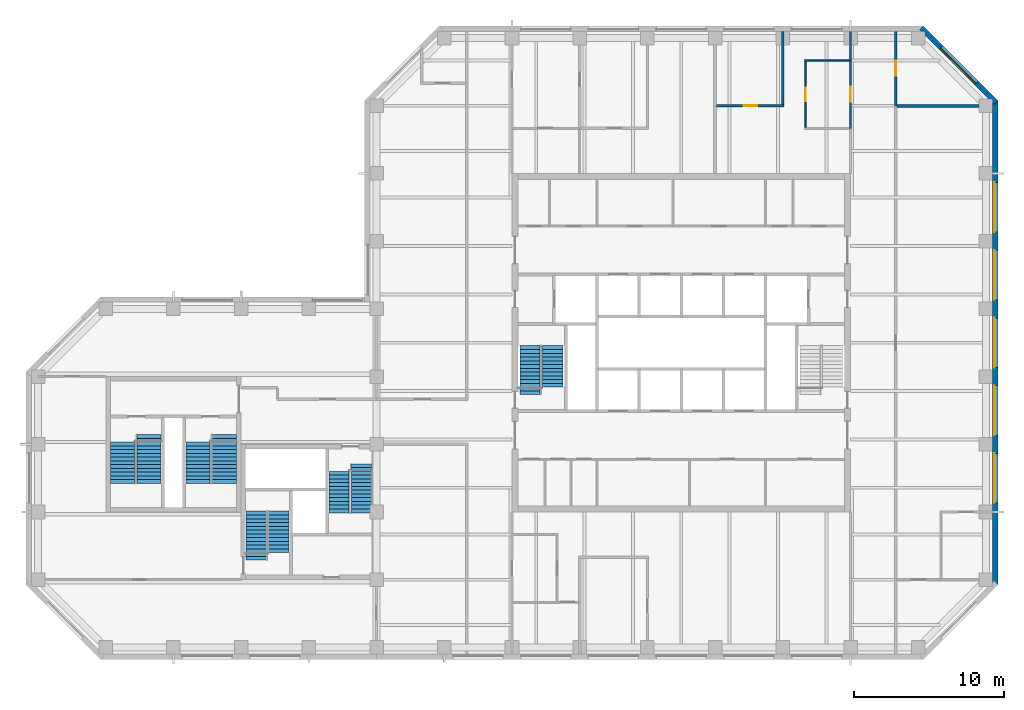
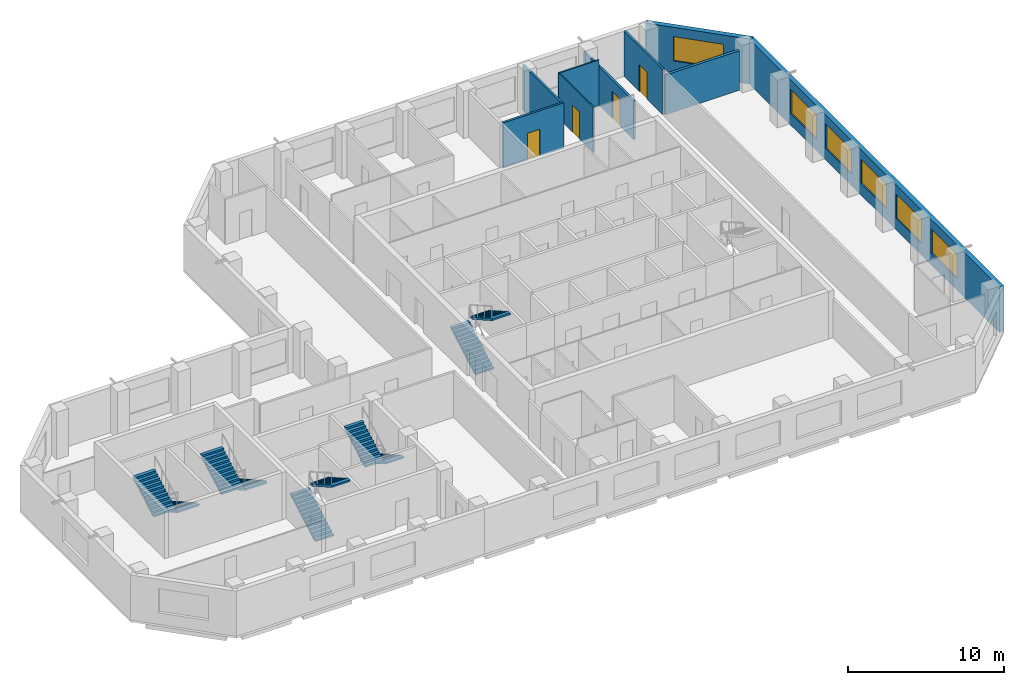
# One storey, part 7 of 9: 10 stair flights, 10 walls, 6 windows, 4 doors, 10 openings, 5 elements without a shape of their own.
"""IFC4 building model written with IfcOpenShell, lengths in metres."""

from ifc_helpers import new_model, si_unit, direction, frame, frame_2d, origin, place, context, subcontext, project, spatial, polyline, rectangle, outline, extrude, material, layer, layer_set, constituent, constituent_set, type_object, element, fill, aggregate, save


model = new_model("IFC4")

# Units and contexts
model_context = context("Model", 3, precision=1e-05, world=origin(), true_north=direction((0.0, 1.0)))
body_context = subcontext(model_context, "Body", "Model", "MODEL_VIEW")
ifc_project = project(units=[si_unit("LENGTHUNIT", "METRE"), si_unit("AREAUNIT", "SQUARE_METRE"), si_unit("VOLUMEUNIT", "CUBIC_METRE"), si_unit("PLANEANGLEUNIT", "RADIAN"), si_unit("MASSUNIT", "GRAM", prefix="KILO")], contexts=[model_context])

# Site, building, storey
site_placement = place(None, origin())
site = spatial("IfcSite", under=ifc_project, at=site_placement, CompositionType="ELEMENT")
building_placement = place(site_placement, origin())
building = spatial("IfcBuilding", under=site, at=building_placement, Name="Quoin Convention Tower", CompositionType="ELEMENT")
storey_placement = place(building_placement, frame((0.0, 0.0, 169.89990234375)))
storey = spatial("IfcBuildingStorey", under=building, at=storey_placement, Name="L44", CompositionType="ELEMENT", Elevation=169.89990234375)

# Wall, opening, door
ifc_material_1 = material(Name="Plasterboard")
ifc_layer_1 = layer(ifc_material_1, 0.012451171875, Name="Finish")
ifc_material_2 = material(Name="Steel stud framing", Category="steel")
ifc_layer_2 = layer(ifc_material_2, 0.125, Name="Structure")
ifc_layer_3 = layer(ifc_material_1, 0.012451171875, Name="Finish")
ifc_layer_set_1 = layer_set([ifc_layer_1, ifc_layer_2, ifc_layer_3], Name="Steel stud framing")
wall_type_1 = type_object("IfcWallType", Name="Acoustic partition 150", PredefinedType="PARTITIONING", material=ifc_layer_set_1)
wall_1_placement = place(storey_placement, frame((58.60009765625, 76.5, 0.0), z_axis=(0.0, 0.0, 1.0), x_axis=(1.0, 0.0, 0.0)))
wall_1 = element("IfcWall", 1, at=wall_1_placement, inside=storey, type_object=wall_type_1, Name="pw-L44-021", PredefinedType="PARTITIONING", context=body_context, shape_type="SweptSolid", body=[
    extrude(rectangle(XDim=4.474853515625, YDim=0.14990234375, at=frame_2d((2.2373046875, 0.0))), origin(), (0.0, 0.0, 1.0), 3.550048828125),
])
opening_1_placement = place(wall_1_placement, frame((1.800048828125, 0.0, 0.0)))
opening_1 = element("IfcOpeningElement", 2, at=opening_1_placement, cuts=wall_1, Name="Opening DOH4-08", PredefinedType="OPENING", context=body_context, shape_type="SweptSolid", body=[
    extrude(rectangle(XDim=0.89990234375, YDim=2.10009765625, at=frame_2d((0.449951171875, 1.050048828125))), frame((0.0, 0.0849609375, 0.0), z_axis=(0.0, -1.0, 0.0), x_axis=(1.0, 0.0, 0.0)), (0.0, 0.0, 1.0), 0.169921875),
])
ifc_material_3 = material(Name="Steel door leaf", Category="steel")
door_type_1 = type_object("IfcDoorType", Name="Office door 900 x 2100", OperationType="SINGLE_SWING_RIGHT", PredefinedType="DOOR", material=ifc_material_3)
door_1_placement = place(opening_1_placement, frame((0.89990234375, 0.0, 0.0), z_axis=(0.0, 0.0, 1.0), x_axis=(-1.0, 0.0, 0.0)))
door_1 = element("IfcDoor", 3, at=door_1_placement, inside=storey, type_object=door_type_1, Name="dr-L44-21", OperationType="SINGLE_SWING_LEFT", OverallHeight=2.10009765625, OverallWidth=0.89990234375, PredefinedType="DOOR", context=body_context, shape_type="SweptSolid", body=[
    extrude(rectangle(XDim=0.89990234375, YDim=2.10009765625, at=frame_2d((0.449951171875, 1.050048828125))), frame((0.0, 0.02490234375, 0.0), z_axis=(0.0, -1.0, 0.0), x_axis=(1.0, 0.0, 0.0)), (0.0, 0.0, 1.0), 0.050048828125),
])
fill(opening_1, door_1)

# Wall
wall_2_placement = place(storey_placement, frame((63.0, 76.574951171875, 0.0), z_axis=(0.0, 0.0, 1.0), x_axis=(0.0, 1.0, 0.0)))
element("IfcWall", 4, at=wall_2_placement, inside=storey, type_object=wall_type_1, Name="pw-L44-063", PredefinedType="PARTITIONING", context=body_context, shape_type="SweptSolid", body=[
    extrude(rectangle(XDim=4.875, YDim=0.14990234375, at=frame_2d((2.4375, 0.0))), origin(), (0.0, 0.0, 1.0), 3.550048828125),
])

# Wall, openings, windows
ifc_material_4 = material(Name="Brick masonry", Category="masonry")
ifc_layer_4 = layer(ifc_material_4, 0.35009765625)
ifc_layer_set_2 = layer_set([ifc_layer_4], Name="Brick masonry")
wall_type_2 = type_object("IfcWallType", Name="Brick facade wall", PredefinedType="STANDARD", material=ifc_layer_set_2)
wall_3_placement = place(storey_placement, frame((77.125, 44.668701171875, 0.0), z_axis=(0.0, 0.0, 1.0), x_axis=(0.0, 1.0, 0.0)))
wall_3 = element("IfcWall", 5, at=wall_3_placement, inside=storey, type_object=wall_type_2, Name="fw-L44-76500_45000", PredefinedType="STANDARD", context=body_context, shape_type="SweptSolid", body=[
    extrude(rectangle(XDim=32.16259765625, YDim=0.35009765625, at=frame_2d((16.081298828125, 0.0))), origin(), (0.0, 0.0, 1.0), 3.525146484375),
])
opening_2_placement = place(wall_3_placement, frame((5.431396484375, 0.0, 0.89990234375)))
opening_2 = element("IfcOpeningElement", 6, at=opening_2_placement, cuts=wall_3, Name="Opening W-02", PredefinedType="OPENING", context=body_context, shape_type="SweptSolid", body=[
    extrude(rectangle(XDim=3.300048828125, YDim=1.89990234375, at=frame_2d((1.64990234375, 0.949951171875))), frame((0.0, 0.18505859375, 0.0), z_axis=(0.0, -1.0, 0.0), x_axis=(1.0, 0.0, 0.0)), (0.0, 0.0, 1.0), 0.3701171875),
])
opening_3_placement = place(wall_3_placement, frame((9.931396484375, 0.0, 0.89990234375)))
opening_3 = element("IfcOpeningElement", 7, at=opening_3_placement, cuts=wall_3, Name="Opening W-02", PredefinedType="OPENING", context=body_context, shape_type="SweptSolid", body=[
    extrude(rectangle(XDim=3.300048828125, YDim=1.89990234375, at=frame_2d((1.64990234375, 0.949951171875))), frame((0.0, 0.18505859375, 0.0), z_axis=(0.0, -1.0, 0.0), x_axis=(1.0, 0.0, 0.0)), (0.0, 0.0, 1.0), 0.3701171875),
])
opening_4_placement = place(wall_3_placement, frame((14.431396484375, 0.0, 0.89990234375)))
opening_4 = element("IfcOpeningElement", 8, at=opening_4_placement, cuts=wall_3, Name="Opening W-02", PredefinedType="OPENING", context=body_context, shape_type="SweptSolid", body=[
    extrude(rectangle(XDim=3.300048828125, YDim=1.89990234375, at=frame_2d((1.64990234375, 0.949951171875))), frame((0.0, 0.18505859375, 0.0), z_axis=(0.0, -1.0, 0.0), x_axis=(1.0, 0.0, 0.0)), (0.0, 0.0, 1.0), 0.3701171875),
])
opening_5_placement = place(wall_3_placement, frame((18.931396484375, 0.0, 0.89990234375)))
opening_5 = element("IfcOpeningElement", 9, at=opening_5_placement, cuts=wall_3, Name="Opening W-02", PredefinedType="OPENING", context=body_context, shape_type="SweptSolid", body=[
    extrude(rectangle(XDim=3.300048828125, YDim=1.89990234375, at=frame_2d((1.64990234375, 0.949951171875))), frame((0.0, 0.18505859375, 0.0), z_axis=(0.0, -1.0, 0.0), x_axis=(1.0, 0.0, 0.0)), (0.0, 0.0, 1.0), 0.3701171875),
])
opening_6_placement = place(wall_3_placement, frame((23.431396484375, 0.0, 0.89990234375)))
opening_6 = element("IfcOpeningElement", 10, at=opening_6_placement, cuts=wall_3, Name="Opening W-02", PredefinedType="OPENING", context=body_context, shape_type="SweptSolid", body=[
    extrude(rectangle(XDim=3.300048828125, YDim=1.89990234375, at=frame_2d((1.64990234375, 0.949951171875))), frame((0.0, 0.18505859375, 0.0), z_axis=(0.0, -1.0, 0.0), x_axis=(1.0, 0.0, 0.0)), (0.0, 0.0, 1.0), 0.3701171875),
])
ifc_material_5 = material(Name="Aluminium", Category="aluminium")
ifc_constituent_1 = constituent(ifc_material_5, Name="Frame")
ifc_material_6 = material(Name="Insulated glass", Category="glass")
ifc_constituent_2 = constituent(ifc_material_6, Name="Glazing")
ifc_constituent_set = constituent_set(constituents=[ifc_constituent_1, ifc_constituent_2], Name="Aluminium")
window_type = type_object("IfcWindowType", Name="Office window", PartitioningType="DOUBLE_PANEL_VERTICAL", PredefinedType="WINDOW", material=ifc_constituent_set)
window_1_placement = place(opening_2_placement, origin())
window_1 = element("IfcWindow", 11, at=window_1_placement, inside=storey, type_object=window_type, Name="win-L44-77125_51750", OverallHeight=1.89990234375, OverallWidth=3.300048828125, PartitioningType="SINGLE_PANEL", PredefinedType="WINDOW", context=body_context, shape_type="SweptSolid", body=[
    extrude(rectangle(XDim=3.300048828125, YDim=1.89990234375, at=frame_2d((1.64990234375, 0.949951171875))), frame((0.0, 0.0849609375, 0.0), z_axis=(0.0, -1.0, 0.0), x_axis=(1.0, 0.0, 0.0)), (0.0, 0.0, 1.0), 0.06005859375),
])
fill(opening_2, window_1)
window_2_placement = place(opening_3_placement, origin())
window_2 = element("IfcWindow", 12, at=window_2_placement, inside=storey, type_object=window_type, Name="win-L44-77125_56250", OverallHeight=1.89990234375, OverallWidth=3.300048828125, PartitioningType="SINGLE_PANEL", PredefinedType="WINDOW", context=body_context, shape_type="SweptSolid", body=[
    extrude(rectangle(XDim=3.300048828125, YDim=1.89990234375, at=frame_2d((1.64990234375, 0.949951171875))), frame((0.0, 0.0849609375, 0.0), z_axis=(0.0, -1.0, 0.0), x_axis=(1.0, 0.0, 0.0)), (0.0, 0.0, 1.0), 0.06005859375),
])
fill(opening_3, window_2)
window_3_placement = place(opening_4_placement, origin())
window_3 = element("IfcWindow", 13, at=window_3_placement, inside=storey, type_object=window_type, Name="win-L44-77125_60750", OverallHeight=1.89990234375, OverallWidth=3.300048828125, PartitioningType="SINGLE_PANEL", PredefinedType="WINDOW", context=body_context, shape_type="SweptSolid", body=[
    extrude(rectangle(XDim=3.300048828125, YDim=1.89990234375, at=frame_2d((1.64990234375, 0.949951171875))), frame((0.0, 0.0849609375, 0.0), z_axis=(0.0, -1.0, 0.0), x_axis=(1.0, 0.0, 0.0)), (0.0, 0.0, 1.0), 0.06005859375),
])
fill(opening_4, window_3)
window_4_placement = place(opening_5_placement, origin())
window_4 = element("IfcWindow", 14, at=window_4_placement, inside=storey, type_object=window_type, Name="win-L44-77125_65250", OverallHeight=1.89990234375, OverallWidth=3.300048828125, PartitioningType="SINGLE_PANEL", PredefinedType="WINDOW", context=body_context, shape_type="SweptSolid", body=[
    extrude(rectangle(XDim=3.300048828125, YDim=1.89990234375, at=frame_2d((1.64990234375, 0.949951171875))), frame((0.0, 0.0849609375, 0.0), z_axis=(0.0, -1.0, 0.0), x_axis=(1.0, 0.0, 0.0)), (0.0, 0.0, 1.0), 0.06005859375),
])
fill(opening_5, window_4)
window_5_placement = place(opening_6_placement, origin())
window_5 = element("IfcWindow", 15, at=window_5_placement, inside=storey, type_object=window_type, Name="win-L44-77125_69750", OverallHeight=1.89990234375, OverallWidth=3.300048828125, PartitioningType="SINGLE_PANEL", PredefinedType="WINDOW", context=body_context, shape_type="SweptSolid", body=[
    extrude(rectangle(XDim=3.300048828125, YDim=1.89990234375, at=frame_2d((1.64990234375, 0.949951171875))), frame((0.0, 0.0849609375, 0.0), z_axis=(0.0, -1.0, 0.0), x_axis=(1.0, 0.0, 0.0)), (0.0, 0.0, 1.0), 0.06005859375),
])
fill(opening_6, window_5)

# Wall, opening, window
wall_4_placement = place(storey_placement, frame((77.17626953125, 76.70751953125, 0.0), z_axis=(0.0, 0.0, 1.0), x_axis=(-0.707106781187, 0.707106781187, 0.0)))
wall_4 = element("IfcWall", 16, at=wall_4_placement, inside=storey, type_object=wall_type_2, Name="fw-L44-76500_76500", PredefinedType="STANDARD", context=body_context, shape_type="SweptSolid", body=[
    extrude(rectangle(XDim=7.02685546875, YDim=0.35009765625, at=frame_2d((3.513427734375, 0.0))), origin(), (0.0, 0.0, 1.0), 3.525146484375),
])
opening_7_placement = place(wall_4_placement, frame((1.86328125, 0.0, 0.89990234375)))
opening_7 = element("IfcOpeningElement", 17, at=opening_7_placement, cuts=wall_4, Name="Opening W-02", PredefinedType="OPENING", context=body_context, shape_type="SweptSolid", body=[
    extrude(rectangle(XDim=3.300048828125, YDim=1.89990234375, at=frame_2d((1.64990234375, 0.949951171875))), frame((0.0, 0.18505859375, 0.0), z_axis=(0.0, -1.0, 0.0), x_axis=(1.0, 0.0, 0.0)), (0.0, 0.0, 1.0), 0.3701171875),
])
window_6_placement = place(opening_7_placement, origin())
window_6 = element("IfcWindow", 18, at=window_6_placement, inside=storey, type_object=window_type, Name="win-L44-74692_79192", OverallHeight=1.89990234375, OverallWidth=3.300048828125, PartitioningType="SINGLE_PANEL", PredefinedType="WINDOW", context=body_context, shape_type="SweptSolid", body=[
    extrude(rectangle(XDim=3.300048828125, YDim=1.89990234375, at=frame_2d((1.64990234375, 0.949951171875))), frame((0.0, 0.0849609375, 0.0), z_axis=(0.0, -1.0, 0.0), x_axis=(1.0, 0.0, 0.0)), (0.0, 0.0, 1.0), 0.06005859375),
])
fill(opening_7, window_6)

# Wall, opening, door
ifc_layer_5 = layer(ifc_material_1, 0.012451171875, Name="Finish")
ifc_layer_6 = layer(ifc_material_2, 0.125, Name="Structure")
ifc_layer_7 = layer(ifc_material_1, 0.012451171875, Name="Finish")
ifc_layer_set_3 = layer_set([ifc_layer_5, ifc_layer_6, ifc_layer_7], Name="Steel stud framing")
wall_type_3 = type_object("IfcWallType", Name="Corridor wall 150", PredefinedType="PARTITIONING", material=ifc_layer_set_3)
wall_5_placement = place(storey_placement, frame((70.5, 76.5, 0.0), z_axis=(0.0, 0.0, 1.0), x_axis=(0.0, 1.0, 0.0)))
wall_5 = element("IfcWall", 19, at=wall_5_placement, inside=storey, type_object=wall_type_3, Name="pw-L44-062", PredefinedType="PARTITIONING", context=body_context, shape_type="SweptSolid", body=[
    extrude(rectangle(XDim=4.949951171875, YDim=0.14990234375, at=frame_2d((2.47509765625, 0.0))), origin(), (0.0, 0.0, 1.0), 3.550048828125),
])
opening_8_placement = place(wall_5_placement, frame((2.0, 0.0, 0.0)))
opening_8 = element("IfcOpeningElement", 20, at=opening_8_placement, cuts=wall_5, Name="Opening DOH4-19", PredefinedType="OPENING", context=body_context, shape_type="SweptSolid", body=[
    extrude(rectangle(XDim=1.0, YDim=2.10009765625, at=frame_2d((0.5, 1.050048828125))), frame((0.0, 0.0849609375, 0.0), z_axis=(0.0, -1.0, 0.0), x_axis=(1.0, 0.0, 0.0)), (0.0, 0.0, 1.0), 0.169921875),
])
door_type_2 = type_object("IfcDoorType", Name="Tenancy entrance door 1000 x 2100", OperationType="DOUBLE_DOOR_SINGLE_SWING", PredefinedType="DOOR", material=ifc_material_3)
door_2_placement = place(opening_8_placement, frame((1.0, 0.0, 0.0), z_axis=(0.0, 0.0, 1.0), x_axis=(-1.0, 0.0, 0.0)))
door_2 = element("IfcDoor", 21, at=door_2_placement, inside=storey, type_object=door_type_2, Name="dr-L44-25", OperationType="DOUBLE_DOOR_SINGLE_SWING", OverallHeight=2.10009765625, OverallWidth=1.0, PredefinedType="DOOR", context=body_context, shape_type="SweptSolid", body=[
    extrude(rectangle(XDim=1.0, YDim=2.10009765625, at=frame_2d((0.5, 1.050048828125))), frame((0.0, 0.02490234375, 0.0), z_axis=(0.0, -1.0, 0.0), x_axis=(1.0, 0.0, 0.0)), (0.0, 0.0, 1.0), 0.050048828125),
])
fill(opening_8, door_2)

ifc_layer_8 = layer(ifc_material_1, 0.012451171875, Name="Finish")
ifc_layer_9 = layer(ifc_material_2, 0.125, Name="Structure")
ifc_layer_10 = layer(ifc_material_1, 0.012451171875, Name="Finish")
ifc_layer_set_4 = layer_set([ifc_layer_8, ifc_layer_9, ifc_layer_10], Name="Steel stud framing")
wall_type_4 = type_object("IfcWallType", Name="Corridor wall 150 under beam 528", PredefinedType="PARTITIONING", material=ifc_layer_set_4)
wall_6_placement = place(storey_placement, frame((67.5, 75.0, 0.0), z_axis=(0.0, 0.0, 1.0), x_axis=(0.0, 1.0, 0.0)))
wall_6 = element("IfcWall", 22, at=wall_6_placement, inside=storey, type_object=wall_type_4, Name="pw-L44-058", PredefinedType="PARTITIONING", context=body_context, shape_type="SweptSolid", body=[
    extrude(rectangle(XDim=4.5, YDim=0.14990234375, at=frame_2d((2.25, 0.0))), origin(), (0.0, 0.0, 1.0), 3.022216796875),
])
opening_9_placement = place(wall_6_placement, frame((1.75, 0.0, 0.0)))
opening_9 = element("IfcOpeningElement", 23, at=opening_9_placement, cuts=wall_6, Name="Opening DOH4-17", PredefinedType="OPENING", context=body_context, shape_type="SweptSolid", body=[
    extrude(rectangle(XDim=1.0, YDim=2.10009765625, at=frame_2d((0.5, 1.050048828125))), frame((0.0, 0.0849609375, 0.0), z_axis=(0.0, -1.0, 0.0), x_axis=(1.0, 0.0, 0.0)), (0.0, 0.0, 1.0), 0.169921875),
])
door_3_placement = place(opening_9_placement, origin())
door_3 = element("IfcDoor", 24, at=door_3_placement, inside=storey, type_object=door_type_2, Name="dr-L44-19", OperationType="DOUBLE_DOOR_SINGLE_SWING", OverallHeight=2.10009765625, OverallWidth=1.0, PredefinedType="DOOR", context=body_context, shape_type="SweptSolid", body=[
    extrude(rectangle(XDim=1.0, YDim=2.10009765625, at=frame_2d((0.5, 1.050048828125))), frame((0.0, 0.02490234375, 0.0), z_axis=(0.0, -1.0, 0.0), x_axis=(1.0, 0.0, 0.0)), (0.0, 0.0, 1.0), 0.050048828125),
])
fill(opening_9, door_3)

# Walls
wall_7_placement = place(storey_placement, frame((67.5, 79.5, 0.0), z_axis=(0.0, 0.0, 1.0), x_axis=(0.0, 1.0, 0.0)))
element("IfcWall", 25, at=wall_7_placement, inside=storey, type_object=wall_type_4, Name="pw-L44-066", PredefinedType="PARTITIONING", context=body_context, shape_type="SweptSolid", body=[
    extrude(rectangle(XDim=1.949951171875, YDim=0.14990234375, at=frame_2d((0.97509765625, 0.0))), origin(), (0.0, 0.0, 1.0), 3.022216796875),
])
ifc_layer_11 = layer(ifc_material_1, 0.012451171875, Name="Finish")
ifc_layer_12 = layer(ifc_material_2, 0.074951171875, Name="Structure")
ifc_layer_13 = layer(ifc_material_1, 0.012451171875, Name="Finish")
ifc_layer_set_5 = layer_set([ifc_layer_11, ifc_layer_12, ifc_layer_13], Name="Steel stud framing")
wall_type_5 = type_object("IfcWallType", Name="Stud partition 100", PredefinedType="PARTITIONING", material=ifc_layer_set_5)
wall_8_placement = place(storey_placement, frame((64.449951171875, 79.5, 0.0), z_axis=(0.0, 0.0, 1.0), x_axis=(1.0, 0.0, 0.0)))
element("IfcWall", 26, at=wall_8_placement, inside=storey, type_object=wall_type_5, Name="pw-L44-024", PredefinedType="PARTITIONING", context=body_context, shape_type="SweptSolid", body=[
    extrude(rectangle(XDim=2.97509765625, YDim=0.10009765625, at=frame_2d((1.487548828125, 0.0))), origin(), (0.0, 0.0, 1.0), 3.550048828125),
])

# Wall, opening, door
wall_9_placement = place(storey_placement, frame((64.5, 75.050048828125, 0.0), z_axis=(0.0, 0.0, 1.0), x_axis=(0.0, 1.0, 0.0)))
wall_9 = element("IfcWall", 27, at=wall_9_placement, inside=storey, type_object=wall_type_5, Name="pw-L44-059", PredefinedType="PARTITIONING", context=body_context, shape_type="SweptSolid", body=[
    extrude(rectangle(XDim=4.39990234375, YDim=0.10009765625, at=frame_2d((2.199951171875, 0.0))), origin(), (0.0, 0.0, 1.0), 3.550048828125),
])
opening_10_placement = place(wall_9_placement, frame((1.75, 0.0, 0.0)))
opening_10 = element("IfcOpeningElement", 28, at=opening_10_placement, cuts=wall_9, Name="Opening DOH4-18", PredefinedType="OPENING", context=body_context, shape_type="SweptSolid", body=[
    extrude(rectangle(XDim=0.89990234375, YDim=2.10009765625, at=frame_2d((0.449951171875, 1.050048828125))), frame((0.0, 0.06005859375, 0.0), z_axis=(0.0, -1.0, 0.0), x_axis=(1.0, 0.0, 0.0)), (0.0, 0.0, 1.0), 0.1201171875),
])
door_4_placement = place(opening_10_placement, origin())
door_4 = element("IfcDoor", 29, at=door_4_placement, inside=storey, type_object=door_type_1, Name="dr-L44-20", OperationType="SINGLE_SWING_RIGHT", OverallHeight=2.10009765625, OverallWidth=0.89990234375, PredefinedType="DOOR", context=body_context, shape_type="SweptSolid", body=[
    extrude(rectangle(XDim=0.89990234375, YDim=2.10009765625, at=frame_2d((0.449951171875, 1.050048828125))), frame((0.0, 0.02490234375, 0.0), z_axis=(0.0, -1.0, 0.0), x_axis=(1.0, 0.0, 0.0)), (0.0, 0.0, 1.0), 0.050048828125),
])
fill(opening_10, door_4)

# Wall
ifc_layer_14 = layer(ifc_material_1, 0.012451171875, Name="Finish")
ifc_layer_15 = layer(ifc_material_2, 0.175048828125, Name="Structure")
ifc_layer_16 = layer(ifc_material_1, 0.012451171875, Name="Finish")
ifc_layer_set_6 = layer_set([ifc_layer_14, ifc_layer_15, ifc_layer_16], Name="Steel stud framing")
wall_type_6 = type_object("IfcWallType", Name="Tenancy demising wall 200 under beam 454", PredefinedType="PARTITIONING", material=ifc_layer_set_6)
wall_10_placement = place(storey_placement, frame((70.574951171875, 76.5, 0.0), z_axis=(0.0, 0.0, 1.0), x_axis=(1.0, 0.0, 0.0)))
element("IfcWall", 30, at=wall_10_placement, inside=storey, type_object=wall_type_6, Name="pw-L44-022", PredefinedType="PARTITIONING", context=body_context, shape_type="SweptSolid", body=[
    extrude(rectangle(XDim=5.47509765625, YDim=0.199951171875, at=frame_2d((2.737548828125, 0.0))), origin(), (0.0, 0.0, 1.0), 3.09619140625),
])

# Stair, stair flights
ifc_material_7 = material(Name="Concrete C40", Category="concrete")
stair_type_1 = type_object("IfcStairType", Name="Exit stair two-flight 1350", PredefinedType="HALF_TURN_STAIR", material=ifc_material_7)
stair_1_placement = place(storey_placement, origin())
stair_1 = element("IfcStair", 31, at=stair_1_placement, inside=storey, type_object=stair_type_1, Name="SD1 L44", PredefinedType="HALF_TURN_STAIR")
stair_flight_type_1 = type_object("IfcStairFlightType", Name="Stair flight 1350", PredefinedType="STRAIGHT", material=ifc_material_7)
stair_flight_1_placement = place(storey_placement, frame((46.199951171875, 57.300048828125, 0.0), z_axis=(0.0, 0.0, 1.0), x_axis=(0.0, 1.0, 0.0)))
stair_flight_1 = element("IfcStairFlight", 32, at=stair_flight_1_placement, type_object=stair_flight_type_1, Name="ST1 flight 1", NumberOfRisers=14, NumberOfTreads=13, PredefinedType="STRAIGHT", RiserHeight=0.142307692, TreadLength=0.25, context=body_context, shape_type="SweptSolid", body=[
    extrude(outline(polyline([(0.0, 0.0), (0.0, 0.142333984375), (0.25, 0.142333984375), (0.25, 0.28466796875), (0.5, 0.28466796875), (0.5, 0.427001953125), (0.75, 0.427001953125), (0.75, 0.5693359375), (1.0, 0.5693359375), (1.0, 0.71142578125), (1.25, 0.71142578125), (1.25, 0.853759765625), (1.5, 0.853759765625), (1.5, 0.99609375), (1.75, 0.99609375), (1.75, 1.138427734375), (2.0, 1.138427734375), (2.0, 1.28076171875), (2.25, 1.28076171875), (2.25, 1.423095703125), (2.5, 1.423095703125), (2.5, 1.5654296875), (2.75, 1.5654296875), (2.75, 1.707763671875), (3.0, 1.707763671875), (3.0, 1.85009765625), (3.25, 1.85009765625), (3.25, 1.9921875), (3.25, 1.711669921875), (0.242919921875, 0.0), (0.0, 0.0)])), frame((0.0, 0.675048828125, 0.0), z_axis=(0.0, -1.0, 0.0), x_axis=(1.0, 0.0, 0.0)), (0.0, 0.0, 1.0), 1.35009765625),
])
stair_flight_2_placement = place(storey_placement, frame((47.699951171875, 60.550048828125, 1.992431640625), z_axis=(0.0, 0.0, 1.0), x_axis=(0.0, -1.0, 0.0)))
stair_flight_2 = element("IfcStairFlight", 33, at=stair_flight_2_placement, type_object=stair_flight_type_1, Name="ST1 flight 2", NumberOfRisers=12, NumberOfTreads=11, PredefinedType="STRAIGHT", RiserHeight=0.142307692, TreadLength=0.25, context=body_context, shape_type="SweptSolid", body=[
    extrude(outline(polyline([(0.0, 0.0), (0.0, 0.142333984375), (0.25, 0.142333984375), (0.25, 0.28466796875), (0.5, 0.28466796875), (0.5, 0.427001953125), (0.75, 0.427001953125), (0.75, 0.5693359375), (1.0, 0.5693359375), (1.0, 0.71142578125), (1.25, 0.71142578125), (1.25, 0.853759765625), (1.5, 0.853759765625), (1.5, 0.99609375), (1.75, 0.99609375), (1.75, 1.138427734375), (2.0, 1.138427734375), (2.0, 1.28076171875), (2.25, 1.28076171875), (2.25, 1.423095703125), (2.5, 1.423095703125), (2.5, 1.5654296875), (2.75, 1.5654296875), (2.75, 1.707763671875), (2.75, 1.42724609375), (0.242919921875, 0.0), (0.0, 0.0)])), frame((0.0, 0.675048828125, 0.0), z_axis=(0.0, -1.0, 0.0), x_axis=(1.0, 0.0, 0.0)), (0.0, 0.0, 1.0), 1.35009765625),
])
aggregate(stair_1, [stair_flight_1, stair_flight_2])

stair_2_placement = place(storey_placement, origin())
stair_2 = element("IfcStair", 34, at=stair_2_placement, inside=storey, type_object=stair_type_1, Name="SD3 L44", PredefinedType="HALF_TURN_STAIR")
stair_flight_3_placement = place(storey_placement, frame((28.0, 46.300048828125, 0.0), z_axis=(0.0, 0.0, 1.0), x_axis=(0.0, 1.0, 0.0)))
stair_flight_3 = element("IfcStairFlight", 35, at=stair_flight_3_placement, type_object=stair_flight_type_1, Name="ST3 flight 1", NumberOfRisers=14, NumberOfTreads=13, PredefinedType="STRAIGHT", RiserHeight=0.142307692, TreadLength=0.25, context=body_context, shape_type="SweptSolid", body=[
    extrude(outline(polyline([(0.0, 0.0), (0.0, 0.142333984375), (0.25, 0.142333984375), (0.25, 0.28466796875), (0.5, 0.28466796875), (0.5, 0.427001953125), (0.75, 0.427001953125), (0.75, 0.5693359375), (1.0, 0.5693359375), (1.0, 0.71142578125), (1.25, 0.71142578125), (1.25, 0.853759765625), (1.5, 0.853759765625), (1.5, 0.99609375), (1.75, 0.99609375), (1.75, 1.138427734375), (2.0, 1.138427734375), (2.0, 1.28076171875), (2.25, 1.28076171875), (2.25, 1.423095703125), (2.5, 1.423095703125), (2.5, 1.5654296875), (2.75, 1.5654296875), (2.75, 1.707763671875), (3.0, 1.707763671875), (3.0, 1.85009765625), (3.25, 1.85009765625), (3.25, 1.9921875), (3.25, 1.711669921875), (0.242919921875, 0.0), (0.0, 0.0)])), frame((0.0, 0.675048828125, 0.0), z_axis=(0.0, -1.0, 0.0), x_axis=(1.0, 0.0, 0.0)), (0.0, 0.0, 1.0), 1.35009765625),
])
stair_flight_4_placement = place(storey_placement, frame((29.5, 49.550048828125, 1.992431640625), z_axis=(0.0, 0.0, 1.0), x_axis=(0.0, -1.0, 0.0)))
stair_flight_4 = element("IfcStairFlight", 36, at=stair_flight_4_placement, type_object=stair_flight_type_1, Name="ST3 flight 2", NumberOfRisers=12, NumberOfTreads=11, PredefinedType="STRAIGHT", RiserHeight=0.142307692, TreadLength=0.25, context=body_context, shape_type="SweptSolid", body=[
    extrude(outline(polyline([(0.0, 0.0), (0.0, 0.142333984375), (0.25, 0.142333984375), (0.25, 0.28466796875), (0.5, 0.28466796875), (0.5, 0.427001953125), (0.75, 0.427001953125), (0.75, 0.5693359375), (1.0, 0.5693359375), (1.0, 0.71142578125), (1.25, 0.71142578125), (1.25, 0.853759765625), (1.5, 0.853759765625), (1.5, 0.99609375), (1.75, 0.99609375), (1.75, 1.138427734375), (2.0, 1.138427734375), (2.0, 1.28076171875), (2.25, 1.28076171875), (2.25, 1.423095703125), (2.5, 1.423095703125), (2.5, 1.5654296875), (2.75, 1.5654296875), (2.75, 1.707763671875), (2.75, 1.42724609375), (0.242919921875, 0.0), (0.0, 0.0)])), frame((0.0, 0.675048828125, 0.0), z_axis=(0.0, -1.0, 0.0), x_axis=(1.0, 0.0, 0.0)), (0.0, 0.0, 1.0), 1.35009765625),
])
aggregate(stair_2, [stair_flight_3, stair_flight_4])

stair_3_placement = place(storey_placement, origin())
stair_3 = element("IfcStair", 37, at=stair_3_placement, inside=storey, type_object=stair_type_1, Name="SD4 L44", PredefinedType="HALF_TURN_STAIR")
stair_flight_5_placement = place(storey_placement, frame((35.0, 52.699951171875, 0.0), z_axis=(0.0, 0.0, 1.0), x_axis=(0.0, -1.0, 0.0)))
stair_flight_5 = element("IfcStairFlight", 38, at=stair_flight_5_placement, type_object=stair_flight_type_1, Name="ST4 flight 1", NumberOfRisers=14, NumberOfTreads=13, PredefinedType="STRAIGHT", RiserHeight=0.142307692, TreadLength=0.25, context=body_context, shape_type="SweptSolid", body=[
    extrude(outline(polyline([(0.0, 0.0), (0.0, 0.142333984375), (0.25, 0.142333984375), (0.25, 0.28466796875), (0.5, 0.28466796875), (0.5, 0.427001953125), (0.75, 0.427001953125), (0.75, 0.5693359375), (1.0, 0.5693359375), (1.0, 0.71142578125), (1.25, 0.71142578125), (1.25, 0.853759765625), (1.5, 0.853759765625), (1.5, 0.99609375), (1.75, 0.99609375), (1.75, 1.138427734375), (2.0, 1.138427734375), (2.0, 1.28076171875), (2.25, 1.28076171875), (2.25, 1.423095703125), (2.5, 1.423095703125), (2.5, 1.5654296875), (2.75, 1.5654296875), (2.75, 1.707763671875), (3.0, 1.707763671875), (3.0, 1.85009765625), (3.25, 1.85009765625), (3.25, 1.9921875), (3.25, 1.711669921875), (0.242919921875, 0.0), (0.0, 0.0)])), frame((0.0, 0.675048828125, 0.0), z_axis=(0.0, -1.0, 0.0), x_axis=(1.0, 0.0, 0.0)), (0.0, 0.0, 1.0), 1.35009765625),
])
stair_flight_6_placement = place(storey_placement, frame((33.5, 49.449951171875, 1.992431640625), z_axis=(0.0, 0.0, 1.0), x_axis=(0.0, 1.0, 0.0)))
stair_flight_6 = element("IfcStairFlight", 39, at=stair_flight_6_placement, type_object=stair_flight_type_1, Name="ST4 flight 2", NumberOfRisers=12, NumberOfTreads=11, PredefinedType="STRAIGHT", RiserHeight=0.142307692, TreadLength=0.25, context=body_context, shape_type="SweptSolid", body=[
    extrude(outline(polyline([(0.0, 0.0), (0.0, 0.142333984375), (0.25, 0.142333984375), (0.25, 0.28466796875), (0.5, 0.28466796875), (0.5, 0.427001953125), (0.75, 0.427001953125), (0.75, 0.5693359375), (1.0, 0.5693359375), (1.0, 0.71142578125), (1.25, 0.71142578125), (1.25, 0.853759765625), (1.5, 0.853759765625), (1.5, 0.99609375), (1.75, 0.99609375), (1.75, 1.138427734375), (2.0, 1.138427734375), (2.0, 1.28076171875), (2.25, 1.28076171875), (2.25, 1.423095703125), (2.5, 1.423095703125), (2.5, 1.5654296875), (2.75, 1.5654296875), (2.75, 1.707763671875), (2.75, 1.42724609375), (0.242919921875, 0.0), (0.0, 0.0)])), frame((0.0, 0.675048828125, 0.0), z_axis=(0.0, -1.0, 0.0), x_axis=(1.0, 0.0, 0.0)), (0.0, 0.0, 1.0), 1.35009765625),
])
aggregate(stair_3, [stair_flight_5, stair_flight_6])

stair_type_2 = type_object("IfcStairType", Name="Exit stair two-flight 1600", PredefinedType="HALF_TURN_STAIR", material=ifc_material_7)
stair_4_placement = place(storey_placement, origin())
stair_4 = element("IfcStair", 40, at=stair_4_placement, inside=storey, type_object=stair_type_2, Name="SD11 L44", PredefinedType="HALF_TURN_STAIR")
stair_flight_type_2 = type_object("IfcStairFlightType", Name="Stair flight 1600", PredefinedType="STRAIGHT", material=ifc_material_7)
stair_flight_7_placement = place(storey_placement, frame((20.875, 54.64990234375, 0.0), z_axis=(0.0, 0.0, 1.0), x_axis=(0.0, -1.0, 0.0)))
stair_flight_7 = element("IfcStairFlight", 41, at=stair_flight_7_placement, type_object=stair_flight_type_2, Name="ST11 flight 1", NumberOfRisers=14, NumberOfTreads=13, PredefinedType="STRAIGHT", RiserHeight=0.142307692, TreadLength=0.25, context=body_context, shape_type="SweptSolid", body=[
    extrude(outline(polyline([(0.0, 0.0), (0.0, 0.142333984375), (0.25, 0.142333984375), (0.25, 0.28466796875), (0.5, 0.28466796875), (0.5, 0.427001953125), (0.75, 0.427001953125), (0.75, 0.5693359375), (1.0, 0.5693359375), (1.0, 0.71142578125), (1.25, 0.71142578125), (1.25, 0.853759765625), (1.5, 0.853759765625), (1.5, 0.99609375), (1.75, 0.99609375), (1.75, 1.138427734375), (2.0, 1.138427734375), (2.0, 1.28076171875), (2.25, 1.28076171875), (2.25, 1.423095703125), (2.5, 1.423095703125), (2.5, 1.5654296875), (2.75, 1.5654296875), (2.75, 1.707763671875), (3.0, 1.707763671875), (3.0, 1.85009765625), (3.25, 1.85009765625), (3.25, 1.9921875), (3.25, 1.711669921875), (0.242919921875, 0.0), (0.0, 0.0)])), frame((0.0, 0.800048828125, 0.0), z_axis=(0.0, -1.0, 0.0), x_axis=(1.0, 0.0, 0.0)), (0.0, 0.0, 1.0), 1.60009765625),
])
stair_flight_8_placement = place(storey_placement, frame((19.125, 51.39990234375, 1.992431640625), z_axis=(0.0, 0.0, 1.0), x_axis=(0.0, 1.0, 0.0)))
stair_flight_8 = element("IfcStairFlight", 42, at=stair_flight_8_placement, type_object=stair_flight_type_2, Name="ST11 flight 2", NumberOfRisers=12, NumberOfTreads=11, PredefinedType="STRAIGHT", RiserHeight=0.142307692, TreadLength=0.25, context=body_context, shape_type="SweptSolid", body=[
    extrude(outline(polyline([(0.0, 0.0), (0.0, 0.142333984375), (0.25, 0.142333984375), (0.25, 0.28466796875), (0.5, 0.28466796875), (0.5, 0.427001953125), (0.75, 0.427001953125), (0.75, 0.5693359375), (1.0, 0.5693359375), (1.0, 0.71142578125), (1.25, 0.71142578125), (1.25, 0.853759765625), (1.5, 0.853759765625), (1.5, 0.99609375), (1.75, 0.99609375), (1.75, 1.138427734375), (2.0, 1.138427734375), (2.0, 1.28076171875), (2.25, 1.28076171875), (2.25, 1.423095703125), (2.5, 1.423095703125), (2.5, 1.5654296875), (2.75, 1.5654296875), (2.75, 1.707763671875), (2.75, 1.42724609375), (0.242919921875, 0.0), (0.0, 0.0)])), frame((0.0, 0.800048828125, 0.0), z_axis=(0.0, -1.0, 0.0), x_axis=(1.0, 0.0, 0.0)), (0.0, 0.0, 1.0), 1.60009765625),
])
aggregate(stair_4, [stair_flight_7, stair_flight_8])

stair_5_placement = place(storey_placement, origin())
stair_5 = element("IfcStair", 43, at=stair_5_placement, inside=storey, type_object=stair_type_2, Name="SD12 L44", PredefinedType="HALF_TURN_STAIR")
stair_flight_9_placement = place(storey_placement, frame((25.875, 54.64990234375, 0.0), z_axis=(0.0, 0.0, 1.0), x_axis=(0.0, -1.0, 0.0)))
stair_flight_9 = element("IfcStairFlight", 44, at=stair_flight_9_placement, type_object=stair_flight_type_2, Name="ST12 flight 1", NumberOfRisers=14, NumberOfTreads=13, PredefinedType="STRAIGHT", RiserHeight=0.142307692, TreadLength=0.25, context=body_context, shape_type="SweptSolid", body=[
    extrude(outline(polyline([(0.0, 0.0), (0.0, 0.142333984375), (0.25, 0.142333984375), (0.25, 0.28466796875), (0.5, 0.28466796875), (0.5, 0.427001953125), (0.75, 0.427001953125), (0.75, 0.5693359375), (1.0, 0.5693359375), (1.0, 0.71142578125), (1.25, 0.71142578125), (1.25, 0.853759765625), (1.5, 0.853759765625), (1.5, 0.99609375), (1.75, 0.99609375), (1.75, 1.138427734375), (2.0, 1.138427734375), (2.0, 1.28076171875), (2.25, 1.28076171875), (2.25, 1.423095703125), (2.5, 1.423095703125), (2.5, 1.5654296875), (2.75, 1.5654296875), (2.75, 1.707763671875), (3.0, 1.707763671875), (3.0, 1.85009765625), (3.25, 1.85009765625), (3.25, 1.9921875), (3.25, 1.711669921875), (0.242919921875, 0.0), (0.0, 0.0)])), frame((0.0, 0.800048828125, 0.0), z_axis=(0.0, -1.0, 0.0), x_axis=(1.0, 0.0, 0.0)), (0.0, 0.0, 1.0), 1.60009765625),
])
stair_flight_10_placement = place(storey_placement, frame((24.125, 51.39990234375, 1.992431640625), z_axis=(0.0, 0.0, 1.0), x_axis=(0.0, 1.0, 0.0)))
stair_flight_10 = element("IfcStairFlight", 45, at=stair_flight_10_placement, type_object=stair_flight_type_2, Name="ST12 flight 2", NumberOfRisers=12, NumberOfTreads=11, PredefinedType="STRAIGHT", RiserHeight=0.142307692, TreadLength=0.25, context=body_context, shape_type="SweptSolid", body=[
    extrude(outline(polyline([(0.0, 0.0), (0.0, 0.142333984375), (0.25, 0.142333984375), (0.25, 0.28466796875), (0.5, 0.28466796875), (0.5, 0.427001953125), (0.75, 0.427001953125), (0.75, 0.5693359375), (1.0, 0.5693359375), (1.0, 0.71142578125), (1.25, 0.71142578125), (1.25, 0.853759765625), (1.5, 0.853759765625), (1.5, 0.99609375), (1.75, 0.99609375), (1.75, 1.138427734375), (2.0, 1.138427734375), (2.0, 1.28076171875), (2.25, 1.28076171875), (2.25, 1.423095703125), (2.5, 1.423095703125), (2.5, 1.5654296875), (2.75, 1.5654296875), (2.75, 1.707763671875), (2.75, 1.42724609375), (0.242919921875, 0.0), (0.0, 0.0)])), frame((0.0, 0.800048828125, 0.0), z_axis=(0.0, -1.0, 0.0), x_axis=(1.0, 0.0, 0.0)), (0.0, 0.0, 1.0), 1.60009765625),
])
aggregate(stair_5, [stair_flight_9, stair_flight_10])

save(model, "model.ifc")
